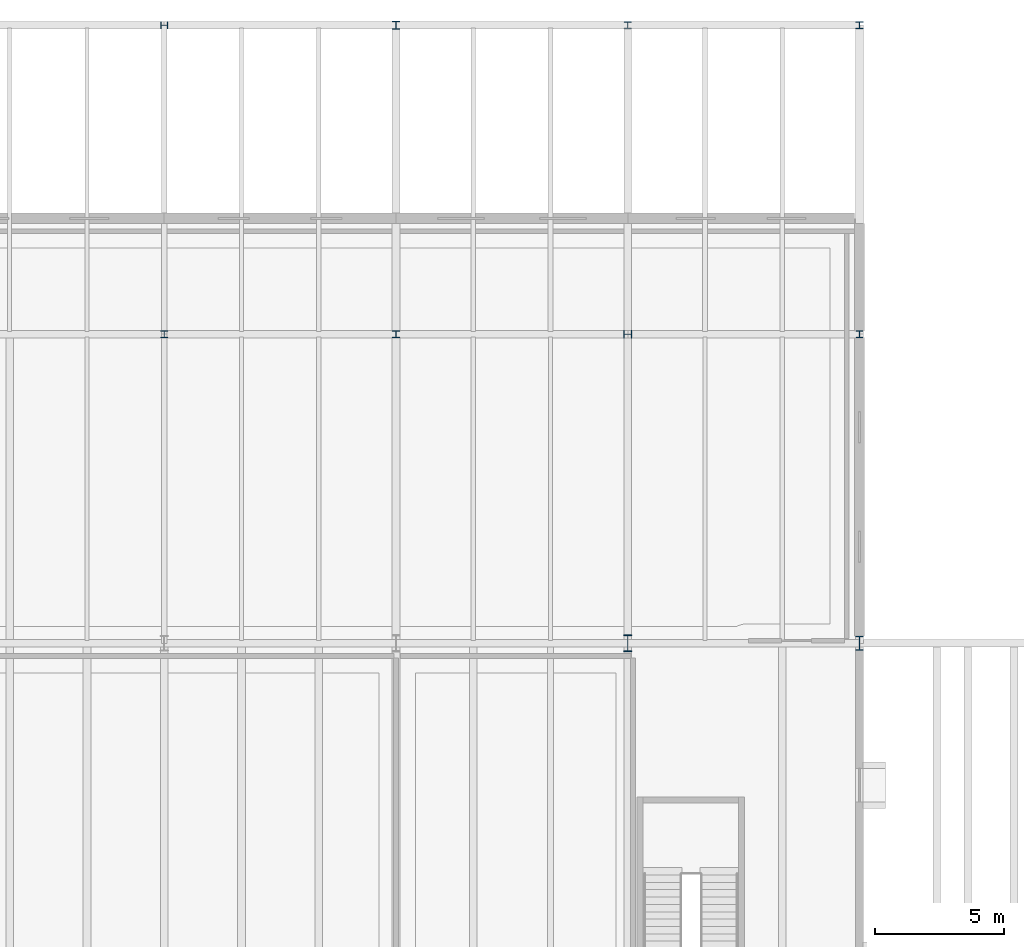
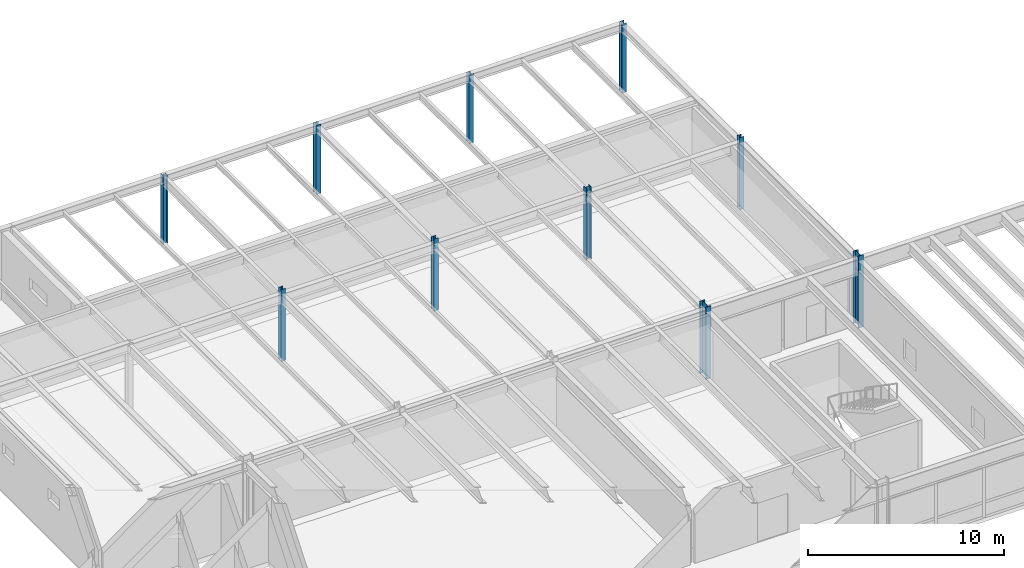
# One storey, part 18 of 127: 10 columns.
"""IFC4 building model written with IfcOpenShell, lengths in metres."""

from ifc_helpers import new_model, si_unit, direction, frame, origin, origin_2d, place, context, subcontext, project, spatial, i_section, extrude, material, material_profile, profile_set, type_object, element, save


model = new_model("IFC4")

# Units and contexts
model_context = context("Model", 3, precision=1e-05, world=origin(), true_north=direction((0.0, 1.0)))
body_context = subcontext(model_context, "Body", "Model", "MODEL_VIEW")
ifc_project = project(units=[si_unit("LENGTHUNIT", "METRE"), si_unit("AREAUNIT", "SQUARE_METRE"), si_unit("VOLUMEUNIT", "CUBIC_METRE"), si_unit("PLANEANGLEUNIT", "RADIAN"), si_unit("MASSUNIT", "GRAM", prefix="KILO")], contexts=[model_context])

# Site, building, storey
site_placement = place(None, origin())
site = spatial("IfcSite", under=ifc_project, at=site_placement, CompositionType="ELEMENT")
building_placement = place(site_placement, origin())
building = spatial("IfcBuilding", under=site, at=building_placement, Name="Montelvaro Courts of Justice", CompositionType="ELEMENT")
storey_placement = place(building_placement, frame((0.0, 0.0, 5.39990234375)))
storey = spatial("IfcBuildingStorey", under=building, at=storey_placement, Name="L01", CompositionType="ELEMENT", Elevation=5.39990234375)

# Columns
ifc_material = material(Name="Steel S355", Category="steel")
ifc_material_profile_1 = material_profile(ifc_material, i_section(OverallWidth=0.260009765625, OverallDepth=0.260009765625, WebThickness=0.010009765625, FlangeThickness=0.017578125, at=origin_2d()), Name="HEB 260")
ifc_profile_set_1 = profile_set([ifc_material_profile_1], Name="Steel S355")
column_type_1 = type_object("IfcColumnType", Name="Col_HEB260", PredefinedType="COLUMN", material=ifc_profile_set_1)
column_1_placement = place(storey_placement, frame((135.0, 108.0, 0.0), z_axis=(0.0, 0.0, 1.0), x_axis=(1.0, 0.0, 0.0)))
element("IfcColumn", 1, at=column_1_placement, inside=storey, type_object=column_type_1, Name="Column C-01 L01 16/I", PredefinedType="COLUMN", context=body_context, shape_type="SweptSolid", body=[
    extrude(i_section(OverallWidth=0.260009765625, OverallDepth=0.260009765625, WebThickness=0.010009765625, FlangeThickness=0.017578125, at=origin_2d()), origin(), (0.0, 0.0, 1.0), 4.5),
])
column_2_placement = place(storey_placement, frame((153.0, 120.0, 0.0), z_axis=(0.0, 0.0, 1.0), x_axis=(1.0, 0.0, 0.0)))
element("IfcColumn", 2, at=column_2_placement, inside=storey, type_object=column_type_1, Name="Column C-01 L01 18/J", PredefinedType="COLUMN", context=body_context, shape_type="SweptSolid", body=[
    extrude(i_section(OverallWidth=0.260009765625, OverallDepth=0.260009765625, WebThickness=0.010009765625, FlangeThickness=0.017578125, at=origin_2d()), origin(), (0.0, 0.0, 1.0), 4.300048828125),
])
column_3_placement = place(storey_placement, frame((162.0, 108.0, 0.0), z_axis=(0.0, 0.0, 1.0), x_axis=(1.0, 0.0, 0.0)))
element("IfcColumn", 3, at=column_3_placement, inside=storey, type_object=column_type_1, Name="Column C-01 L01 19/I", PredefinedType="COLUMN", context=body_context, shape_type="SweptSolid", body=[
    extrude(i_section(OverallWidth=0.260009765625, OverallDepth=0.260009765625, WebThickness=0.010009765625, FlangeThickness=0.017578125, at=origin_2d()), origin(), (0.0, 0.0, 1.0), 4.5),
])
ifc_material_profile_2 = material_profile(ifc_material, i_section(OverallWidth=0.280029296875, OverallDepth=0.280029296875, WebThickness=0.010498046875, FlangeThickness=0.01806640625, at=origin_2d()), Name="HEB 280")
ifc_profile_set_2 = profile_set([ifc_material_profile_2], Name="Steel S355")
column_type_2 = type_object("IfcColumnType", Name="Col_HEB280", PredefinedType="COLUMN", material=ifc_profile_set_2)
column_4_placement = place(storey_placement, frame((135.0, 120.0, 0.0), z_axis=(0.0, 0.0, 1.0), x_axis=(0.0, 1.0, 0.0)))
element("IfcColumn", 4, at=column_4_placement, inside=storey, type_object=column_type_2, Name="Column C-02 L01 16/J", PredefinedType="COLUMN", context=body_context, shape_type="SweptSolid", body=[
    extrude(i_section(OverallWidth=0.280029296875, OverallDepth=0.280029296875, WebThickness=0.010498046875, FlangeThickness=0.01806640625, at=origin_2d()), origin(), (0.0, 0.0, 1.0), 4.300048828125),
])
column_5_placement = place(storey_placement, frame((144.0, 108.0, 0.0), z_axis=(0.0, 0.0, 1.0), x_axis=(1.0, 0.0, 0.0)))
element("IfcColumn", 5, at=column_5_placement, inside=storey, type_object=column_type_2, Name="Column C-02 L01 17/I", PredefinedType="COLUMN", context=body_context, shape_type="SweptSolid", body=[
    extrude(i_section(OverallWidth=0.280029296875, OverallDepth=0.280029296875, WebThickness=0.010498046875, FlangeThickness=0.01806640625, at=origin_2d()), origin(), (0.0, 0.0, 1.0), 4.5),
])
column_6_placement = place(storey_placement, frame((162.0, 120.0, 0.0), z_axis=(0.0, 0.0, 1.0), x_axis=(1.0, 0.0, 0.0)))
element("IfcColumn", 6, at=column_6_placement, inside=storey, type_object=column_type_2, Name="Column C-02 L01 19/J", PredefinedType="COLUMN", context=body_context, shape_type="SweptSolid", body=[
    extrude(i_section(OverallWidth=0.280029296875, OverallDepth=0.280029296875, WebThickness=0.010498046875, FlangeThickness=0.01806640625, at=origin_2d()), origin(), (0.0, 0.0, 1.0), 4.300048828125),
])
ifc_material_profile_3 = material_profile(ifc_material, i_section(OverallWidth=0.300048828125, OverallDepth=0.300048828125, WebThickness=0.010986328125, FlangeThickness=0.01904296875, at=origin_2d()), Name="HEB 300")
ifc_profile_set_3 = profile_set([ifc_material_profile_3], Name="Steel S355")
column_type_3 = type_object("IfcColumnType", Name="Col_HEB300", PredefinedType="COLUMN", material=ifc_profile_set_3)
column_7_placement = place(storey_placement, frame((144.0, 120.0, 0.0), z_axis=(0.0, 0.0, 1.0), x_axis=(1.0, 0.0, 0.0)))
element("IfcColumn", 7, at=column_7_placement, inside=storey, type_object=column_type_3, Name="Column C-03 L01 17/J", PredefinedType="COLUMN", context=body_context, shape_type="SweptSolid", body=[
    extrude(i_section(OverallWidth=0.300048828125, OverallDepth=0.300048828125, WebThickness=0.010986328125, FlangeThickness=0.01904296875, at=origin_2d()), origin(), (0.0, 0.0, 1.0), 4.300048828125),
])
column_8_placement = place(storey_placement, frame((153.0, 108.0, 0.0), z_axis=(0.0, 0.0, 1.0), x_axis=(0.0, 1.0, 0.0)))
element("IfcColumn", 8, at=column_8_placement, inside=storey, type_object=column_type_3, Name="Column C-03 L01 18/I", PredefinedType="COLUMN", context=body_context, shape_type="SweptSolid", body=[
    extrude(i_section(OverallWidth=0.300048828125, OverallDepth=0.300048828125, WebThickness=0.010986328125, FlangeThickness=0.01904296875, at=origin_2d()), origin(), (0.0, 0.0, 1.0), 4.5),
])
ifc_material_profile_4 = material_profile(ifc_material, i_section(OverallWidth=0.300048828125, OverallDepth=0.550048828125, WebThickness=0.014892578125, FlangeThickness=0.029052734375, at=origin_2d()), Name="HEB 550")
ifc_profile_set_4 = profile_set([ifc_material_profile_4], Name="Steel S355")
column_type_4 = type_object("IfcColumnType", Name="Col_HEB550", PredefinedType="COLUMN", material=ifc_profile_set_4)
column_9_placement = place(storey_placement, frame((162.0, 96.0, 0.0), z_axis=(0.0, 0.0, 1.0), x_axis=(1.0, 0.0, 0.0)))
element("IfcColumn", 9, at=column_9_placement, inside=storey, type_object=column_type_4, Name="Column C-10 L01 19/H", PredefinedType="COLUMN", context=body_context, shape_type="SweptSolid", body=[
    extrude(i_section(OverallWidth=0.300048828125, OverallDepth=0.550048828125, WebThickness=0.014892578125, FlangeThickness=0.029052734375, at=origin_2d()), origin(), (0.0, 0.0, 1.0), 4.5),
])
ifc_material_profile_5 = material_profile(ifc_material, i_section(OverallWidth=0.300048828125, OverallDepth=0.64990234375, WebThickness=0.01611328125, FlangeThickness=0.031005859375, at=origin_2d()), Name="HEB 650")
ifc_profile_set_5 = profile_set([ifc_material_profile_5], Name="Steel S355")
column_type_5 = type_object("IfcColumnType", Name="Col_HEB650", PredefinedType="COLUMN", material=ifc_profile_set_5)
column_10_placement = place(storey_placement, frame((153.0, 96.0, 0.0), z_axis=(0.0, 0.0, 1.0), x_axis=(1.0, 0.0, 0.0)))
element("IfcColumn", 10, at=column_10_placement, inside=storey, type_object=column_type_5, Name="Column C-12 L01 18/H", PredefinedType="COLUMN", context=body_context, shape_type="SweptSolid", body=[
    extrude(i_section(OverallWidth=0.300048828125, OverallDepth=0.64990234375, WebThickness=0.01611328125, FlangeThickness=0.031005859375, at=origin_2d()), origin(), (0.0, 0.0, 1.0), 4.5),
])

save(model, "model.ifc")
